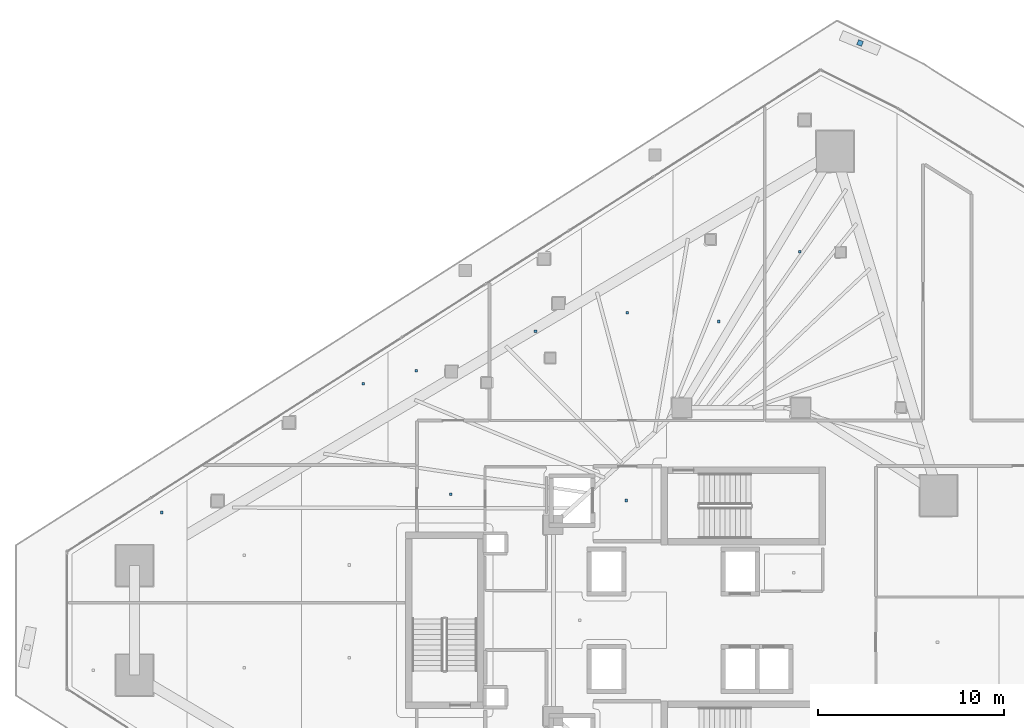
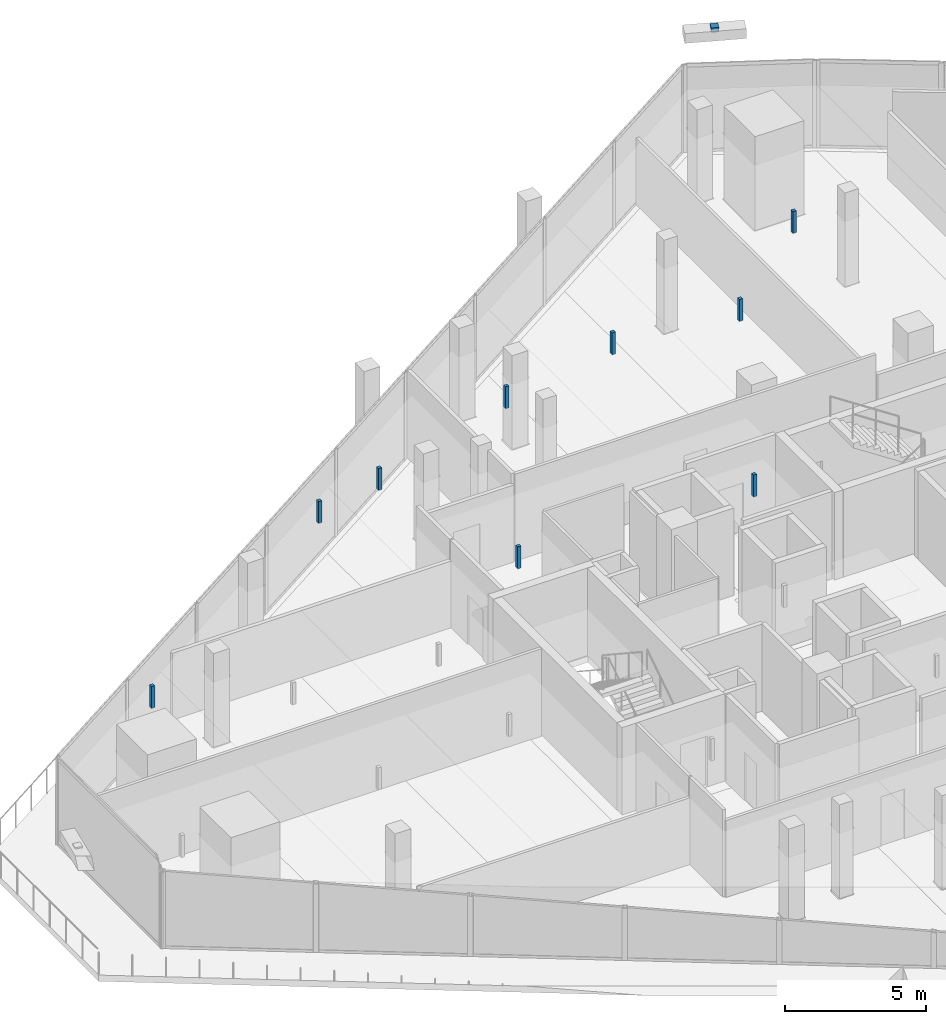
# One storey, part 31 of 39: 10 discrete accessories.
"""IFC4 building model written with IfcOpenShell, lengths in metres."""

from ifc_helpers import new_model, si_unit, direction, frame, origin, origin_2d, place, context, subcontext, project, spatial, rectangle, extrude, material, type_object, element, save


model = new_model("IFC4")

# Units and contexts
model_context = context("Model", 3, precision=1e-05, world=origin(), true_north=direction((0.0, 1.0)))
body_context = subcontext(model_context, "Body", "Model", "MODEL_VIEW")
ifc_project = project(units=[si_unit("LENGTHUNIT", "METRE"), si_unit("AREAUNIT", "SQUARE_METRE"), si_unit("VOLUMEUNIT", "CUBIC_METRE"), si_unit("PLANEANGLEUNIT", "RADIAN"), si_unit("MASSUNIT", "GRAM", prefix="KILO")], contexts=[model_context])

# Site, building, storey
site_placement = place(None, origin())
site = spatial("IfcSite", under=ifc_project, at=site_placement, CompositionType="ELEMENT")
building_placement = place(site_placement, origin())
building = spatial("IfcBuilding", under=site, at=building_placement, Name="Qorvath Tower", CompositionType="ELEMENT")
storey_placement = place(building_placement, frame((0.0, 0.0, 154.35009765625)))
storey = spatial("IfcBuildingStorey", under=building, at=storey_placement, Name="L35", CompositionType="ELEMENT", Elevation=154.35009765625)

# Discrete accessories
ifc_material = material(Name="Galvanised steel bracket", Category="steel")
discrete_accessory_type = type_object("IfcDiscreteAccessoryType", Name="DA-BRACKET", PredefinedType="BRACKET", material=ifc_material)
discrete_accessory_placement = place(storey_placement, frame((-13.999267578125, 31.075439453125, 3.6396484375), z_axis=(0.0, 0.0, 1.0), x_axis=(-0.926437988339, 0.376447411683, 0.0)))
element("IfcDiscreteAccessory", 1, at=discrete_accessory_placement, inside=storey, type_object=discrete_accessory_type, Name="Louvre Wave Support Bracket L35-03", PredefinedType="NOTDEFINED", context=body_context, shape_type="SweptSolid", body=[
    extrude(rectangle(XDim=0.280029296875, YDim=0.280029296875, at=origin_2d()), origin(), (0.0, 0.0, 1.0), 0.199951171875),
])
for number, where, z_axis, x_axis, name in (
    (2, (-26.590087890625, 6.449951171875, 2.85986328125), (0.0, 0.0, 1.0), (1.0, 0.0, 0.0), "Acoustic Ceiling Suspension Hanger T1-L35-001"),
    (3, (-36.040283203125, 6.782470703125, 2.85986328125), (0.0, 0.0, 1.0), (1.0, 0.0, 0.0), "Acoustic Ceiling Suspension Hanger T1-L35-007"),
    (4, (-40.748291015625, 12.736083984375, 2.85986328125), (0.0, 0.0, 1.0), (1.0, 0.0, 0.0), "Acoustic Ceiling Suspension Hanger T1-L35-009"),
    (5, (-37.8876953125, 13.43798828125, 2.85986328125), (0.0, 0.0, 1.0), (1.0, 0.0, 0.0), "Acoustic Ceiling Suspension Hanger T1-L35-010"),
    (6, (-31.47021484375, 15.55810546875, 2.85986328125), (0.0, 0.0, 1.0), (1.0, 0.0, 0.0), "Acoustic Ceiling Suspension Hanger T1-L35-011"),
    (7, (-26.537109375, 16.5546875, 2.85986328125), (0.0, 0.0, 1.0), (1.0, 0.0, 0.0), "Acoustic Ceiling Suspension Hanger T1-L35-012"),
    (8, (-21.60400390625, 16.088623046875, 2.85986328125), (0.0, 0.0, 1.0), (1.0, 0.0, 0.0), "Acoustic Ceiling Suspension Hanger T1-L35-013"),
    (9, (-17.245849609375, 19.83935546875, 2.85986328125), (0.0, 0.0, 1.0), (1.0, 0.0, 0.0), "Acoustic Ceiling Suspension Hanger T1-L35-014"),
    (10, (-51.580078125, 5.80615234375, 2.85986328125), (0.0, 0.0, 1.0), (1.0, 0.0, 0.0), "Acoustic Ceiling Suspension Hanger T1-L35-030"),
):
    element("IfcDiscreteAccessory", number, at=place(storey_placement, frame(where, z_axis=z_axis, x_axis=x_axis)), inside=storey, type_object=discrete_accessory_type, Name=name, PredefinedType="NOTDEFINED", context=body_context, shape_type="SweptSolid", body=[
        extrude(rectangle(XDim=0.139892578125, YDim=0.139892578125, at=origin_2d()), origin(), (0.0, 0.0, 1.0), 0.949951171875),
    ])

save(model, "model.ifc")
